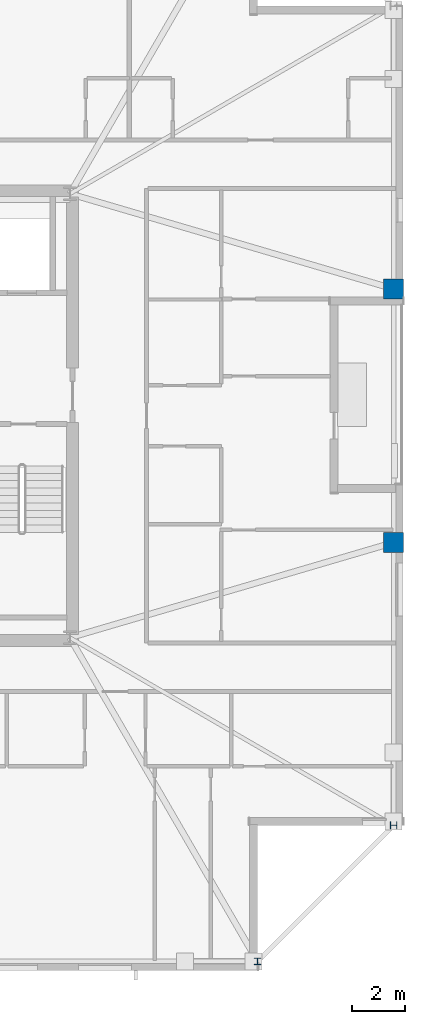
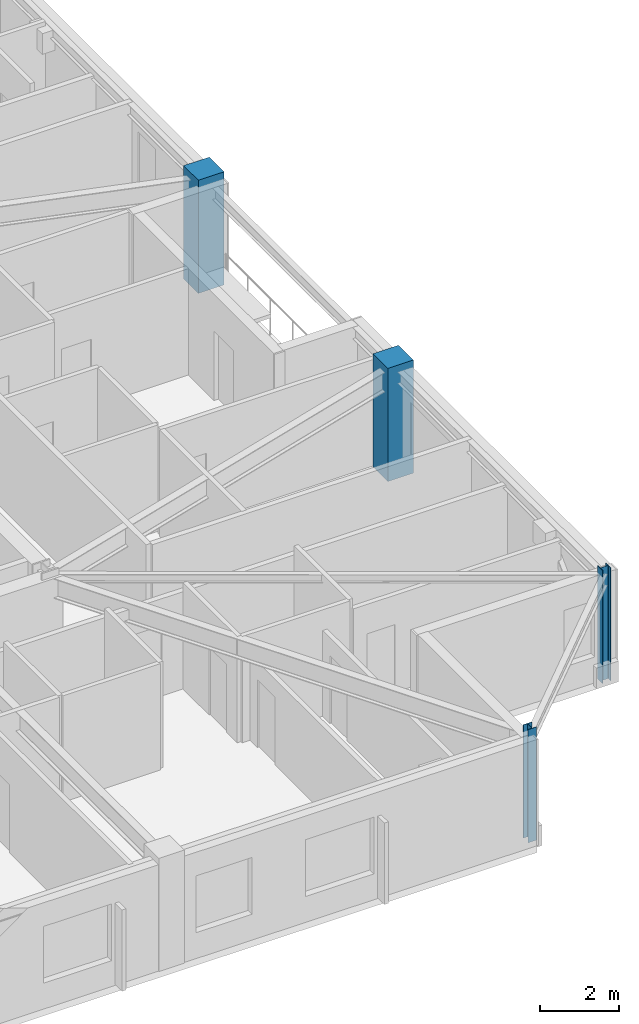
# One storey, part 3 of 14: 4 columns.
"""IFC4 building model written with IfcOpenShell, lengths in metres."""

import ifcopenshell
import ifcopenshell.guid

model = None  # the IFC model being written
_history = None  # IfcOwnerHistory: only IFC2X3 demands one
_inside = {}  # id of a spatial element -> (the spatial element, [elements in it])
_under = {}  # id of a project, library or spatial element -> (it, [spatial elements below it])
_declared = {}  # id of a project -> (the project, [libraries it declares])
_typed = {}  # id of a type object -> (the type object, [elements of that type])
_made_of = {}  # id of a material, layer set ... -> (it, [elements and type objects made of it])


def new_model(schema):
    """Start an empty IFC model of exactly this schema.

    Asked for "IFC4X3", IfcOpenShell would pick the latest addendum, in which some entities
    have other attributes; the version numbers below select the first issue.
    IFC2X3 requires an IfcOwnerHistory on every rooted entity: one is made here for all.
    """
    global model, _history
    if schema == "IFC4X3":
        model = ifcopenshell.file(schema_version=(4, 3, 0, 0))
    else:
        model = ifcopenshell.file(schema=schema)
    _inside.clear()
    _under.clear()
    _declared.clear()
    _typed.clear()
    _made_of.clear()
    _history = None
    if model.schema == "IFC2X3":
        org = make("IfcOrganization", Name="unknown")
        user = make(
            "IfcPersonAndOrganization",
            ThePerson=make("IfcPerson", FamilyName="unknown"),
            TheOrganization=org,
        )
        app = make(
            "IfcApplication",
            ApplicationDeveloper=org,
            Version="unknown",
            ApplicationFullName="unknown",
            ApplicationIdentifier="unknown",
        )
        _history = make(
            "IfcOwnerHistory",
            OwningUser=user,
            OwningApplication=app,
            ChangeAction="ADDED",
            CreationDate=0,
        )
    return model


def make(cls, **values):
    """One entity of the class cls with the attributes given. An attribute that is None is left unset."""
    return model.create_entity(
        cls, **{name: value for name, value in values.items() if value is not None}
    )


def rooted(cls, **values):
    """An entity with a GlobalId (a new one), such as an element, a storey or a relation."""
    return make(cls, GlobalId=ifcopenshell.guid.new(), OwnerHistory=_history, **values)


def si_unit(unit_type, name, prefix=None):
    """IfcSIUnit, for example si_unit("LENGTHUNIT", "METRE", prefix="MILLI")."""
    return make("IfcSIUnit", UnitType=unit_type, Prefix=prefix, Name=name)


def assignment(units):
    """IfcUnitAssignment: the units of a project."""
    return None if units is None else make("IfcUnitAssignment", Units=units)


def point(xyz):
    """IfcCartesianPoint."""
    return None if xyz is None else make("IfcCartesianPoint", Coordinates=xyz)


def direction(xyz):
    """IfcDirection."""
    return None if xyz is None else make("IfcDirection", DirectionRatios=xyz)


def frame(location, z_axis=None, x_axis=None):
    """IfcAxis2Placement3D, a coordinate frame: its origin and axes. An axis left out is left unset."""
    return make(
        "IfcAxis2Placement3D",
        Location=point(location),
        Axis=direction(z_axis),
        RefDirection=direction(x_axis),
    )


def frame_2d(location, x_axis=None):
    """IfcAxis2Placement2D, a coordinate frame in the plane: its origin and x axis."""
    return make(
        "IfcAxis2Placement2D", Location=point(location), RefDirection=direction(x_axis)
    )


def origin():
    """The frame at (0, 0, 0) with its axes left unset."""
    return frame((0.0, 0.0, 0.0))


def origin_2d():
    """The frame at (0, 0) in the plane with its x axis left unset."""
    return frame_2d((0.0, 0.0))


def place(relative_to, where):
    """IfcLocalPlacement: puts the frame where relative to a parent placement (None: the world)."""
    return make(
        "IfcLocalPlacement", PlacementRelTo=relative_to, RelativePlacement=where
    )


def context(
    kind, dimensions, precision=None, world=None, true_north=None, identifier=None
):
    """IfcGeometricRepresentationContext, for example the 3D "Model" context."""
    return make(
        "IfcGeometricRepresentationContext",
        ContextIdentifier=identifier,
        ContextType=kind,
        CoordinateSpaceDimension=dimensions,
        Precision=precision,
        WorldCoordinateSystem=world,
        TrueNorth=true_north,
    )


def subcontext(parent, identifier, kind, view, scale=None):
    """IfcGeometricRepresentationSubContext, for example "Body" below "Model"."""
    return make(
        "IfcGeometricRepresentationSubContext",
        ContextIdentifier=identifier,
        ContextType=kind,
        ParentContext=parent,
        TargetScale=scale,
        TargetView=view,
    )


def project(units=None, contexts=None):
    """IfcProject with its units and contexts."""
    return rooted(
        "IfcProject",
        Name="project",
        RepresentationContexts=contexts,
        UnitsInContext=assignment(units),
    )


def spatial(cls, under=None, at=None, **own):
    """A site, building, storey or space (cls), placed at a placement, below another one or the project."""
    s = rooted(cls, ObjectPlacement=at, **own)
    if under is not None:
        _under.setdefault(under.id(), (under, []))[1].append(s)
    return s


def profile(cls, at=None, kind="AREA", **sizes):
    """A parametric profile (cls). Its sizes go by their IFC names, for example OverallWidth=200.0."""
    return make(cls, ProfileType=kind, Position=at, **sizes)


def rectangle(**sizes):
    """IfcRectangleProfileDef."""
    return profile("IfcRectangleProfileDef", **sizes)


def i_section(**sizes):
    """IfcIShapeProfileDef."""
    return profile("IfcIShapeProfileDef", **sizes)


def extrude(swept, where, along, depth):
    """IfcExtrudedAreaSolid: the profile swept, set in the frame where, extruded along a direction by depth."""
    return make(
        "IfcExtrudedAreaSolid",
        SweptArea=swept,
        Position=where,
        ExtrudedDirection=direction(along),
        Depth=depth,
    )


def shape(context_of_items, identifier, shape_type, items):
    """IfcShapeRepresentation: the items that make up one representation, for example the "Body"."""
    return make(
        "IfcShapeRepresentation",
        ContextOfItems=context_of_items,
        RepresentationIdentifier=identifier,
        RepresentationType=shape_type,
        Items=items,
    )


def material(Name=None, Category=None):
    """IfcMaterial."""
    return make("IfcMaterial", Name=Name, Category=Category)


def material_profile(
    of_material, cross_section, Name=None, Category=None, Priority=None
):
    """IfcMaterialProfile: a cross section and its material."""
    return make(
        "IfcMaterialProfile",
        Name=Name,
        Material=of_material,
        Profile=cross_section,
        Priority=Priority,
        Category=Category,
    )


def profile_set(profiles, Name=None, composite=None):
    """IfcMaterialProfileSet."""
    return make(
        "IfcMaterialProfileSet",
        Name=Name,
        MaterialProfiles=profiles,
        CompositeProfile=composite,
    )


def made_of(thing, what):
    """Note that an element or type object is made of a material, layer set ...; save() writes the relation."""
    if what is not None:
        _made_of.setdefault(what.id(), (what, []))[1].append(thing)
    return thing


def type_object(cls, material=None, **own):
    """A type object (cls), such as IfcWallType, which elements share."""
    return made_of(rooted(cls, **own), material)


def element(
    cls,
    number,
    at=None,
    inside=None,
    cuts=None,
    type_object=None,
    material=None,
    context=None,
    identifier="Body",
    shape_type=None,
    held_by="IfcProductDefinitionShape",
    body=None,
    shapes=None,
    **own,
):
    """One element of the class cls, such as IfcWall. Its Tag is "e" and its number.

    at: its placement. inside: the storey or other place that contains it. cuts: it is an
    opening in that element (IfcRelVoidsElement). A single representation is given by context,
    identifier, shape_type and body (its items); several are given by shapes. held_by: the class
    of the entity that holds the representations. save() writes the other relations.
    """
    e = rooted(cls, Tag="e%d" % number, ObjectPlacement=at, **own)
    if body is not None:
        shapes = [shape(context, identifier, shape_type, body)]
    if shapes is not None:
        e.Representation = make(held_by, Representations=shapes)
    if inside is not None:
        _inside.setdefault(inside.id(), (inside, []))[1].append(e)
    if cuts is not None:
        rooted(
            "IfcRelVoidsElement", RelatingBuildingElement=cuts, RelatedOpeningElement=e
        )
    if type_object is not None:
        _typed.setdefault(type_object.id(), (type_object, []))[1].append(e)
    return made_of(e, material)


def aggregate(whole, parts):
    """IfcRelAggregates: a whole, such as a stair, and the parts it consists of."""
    return rooted("IfcRelAggregates", RelatingObject=whole, RelatedObjects=parts)


def save(model, path):
    """Write the relations noted so far, then the file.

    IfcRelAggregates (storeys below a building ...), IfcRelContainedInSpatialStructure (elements
    in a storey), IfcRelDefinesByType, IfcRelAssociatesMaterial and IfcRelDeclares: one each for
    every whole, place, type object, material and project.
    """
    for whole, parts in _under.values():
        aggregate(whole, parts)
    for where, things in _inside.values():
        rooted(
            "IfcRelContainedInSpatialStructure",
            RelatedElements=things,
            RelatingStructure=where,
        )
    for kind, things in _typed.values():
        rooted("IfcRelDefinesByType", RelatedObjects=things, RelatingType=kind)
    for what, things in _made_of.values():
        rooted("IfcRelAssociatesMaterial", RelatedObjects=things, RelatingMaterial=what)
    for by, libraries in _declared.values():
        rooted("IfcRelDeclares", RelatingContext=by, RelatedDefinitions=libraries)
    model.write(path)


model = new_model("IFC4")

# Units and contexts
model_context = context("Model", 3, precision=1e-05, world=origin(), true_north=direction((0.0, 1.0)))
body_context = subcontext(model_context, "Body", "Model", "MODEL_VIEW")
ifc_project = project(units=[si_unit("LENGTHUNIT", "METRE"), si_unit("AREAUNIT", "SQUARE_METRE"), si_unit("VOLUMEUNIT", "CUBIC_METRE"), si_unit("PLANEANGLEUNIT", "RADIAN"), si_unit("MASSUNIT", "GRAM", prefix="KILO")], contexts=[model_context])

# Site, building, storey
site_placement = place(None, origin())
site = spatial("IfcSite", under=ifc_project, at=site_placement, CompositionType="ELEMENT")
building_placement = place(site_placement, origin())
building = spatial("IfcBuilding", under=site, at=building_placement, Name="Cairnveth Concourse Tower", CompositionType="ELEMENT")
storey_placement = place(building_placement, frame((0.0, 0.0, 308.5)))
storey = spatial("IfcBuildingStorey", under=building, at=storey_placement, Name="L85", CompositionType="ELEMENT", Elevation=308.5)

# Columns
ifc_material_1 = material(Name="Concrete N50 (50 MPa)", Category="concrete")
ifc_material_profile_1 = material_profile(ifc_material_1, rectangle(XDim=0.75, YDim=0.75, at=origin_2d()), Name="RC-COL-750x750")
ifc_profile_set_1 = profile_set([ifc_material_profile_1], Name="Concrete N50 (50 MPa)")
column_type_1 = type_object("IfcColumnType", Name="PERIMETER PIER COLUMN 750X750", PredefinedType="COLUMN", material=ifc_profile_set_1)
for number, where, z_axis, x_axis, name in (
    (1, (72.64990234375, 34.199951171875, 0.0), (0.0, 0.0, 1.0), (0.0, 1.0, 0.0), "Column P-E2 L85"),
    (2, (72.64990234375, 43.800048828125, 0.0), (0.0, 0.0, 1.0), (0.0, 1.0, 0.0), "Column P-E3 L85"),
):
    element("IfcColumn", number, at=place(storey_placement, frame(where, z_axis=z_axis, x_axis=x_axis)), inside=storey, type_object=column_type_1, Name=name, PredefinedType="COLUMN", context=body_context, shape_type="SweptSolid", body=[
        extrude(rectangle(XDim=0.75, YDim=0.75, at=origin_2d()), origin(), (0.0, 0.0, 1.0), 3.5),
    ])
ifc_material_2 = material(Name="Steel Grade 350", Category="steel")
ifc_material_profile_2 = material_profile(ifc_material_2, i_section(OverallWidth=0.25390625, OverallDepth=0.25390625, WebThickness=0.008544921875, FlangeThickness=0.01416015625, FilletRadius=0.012939453125, at=origin_2d()), Name="250UC72.9")
ifc_profile_set_2 = profile_set([ifc_material_profile_2], Name="Steel Grade 350")
column_type_2 = type_object("IfcColumnType", Name="UNIVERSAL STEEL COLUMN 250UC72.9", PredefinedType="COLUMN", material=ifc_profile_set_2)
for number, where, z_axis, x_axis, name in (
    (3, (67.5, 18.35009765625, 0.0), (0.0, 0.0, 1.0), (1.0, 0.0, 0.0), "Column P-S4 L85"),
    (4, (72.64990234375, 23.5, 0.0), (0.0, 0.0, 1.0), (0.0, 1.0, 0.0), "Column P-E1 L85"),
):
    element("IfcColumn", number, at=place(storey_placement, frame(where, z_axis=z_axis, x_axis=x_axis)), inside=storey, type_object=column_type_2, Name=name, PredefinedType="COLUMN", context=body_context, shape_type="SweptSolid", body=[
        extrude(i_section(OverallWidth=0.25390625, OverallDepth=0.25390625, WebThickness=0.008544921875, FlangeThickness=0.01416015625, FilletRadius=0.012939453125, at=origin_2d()), origin(), (0.0, 0.0, 1.0), 3.5),
    ])

save(model, "model.ifc")
